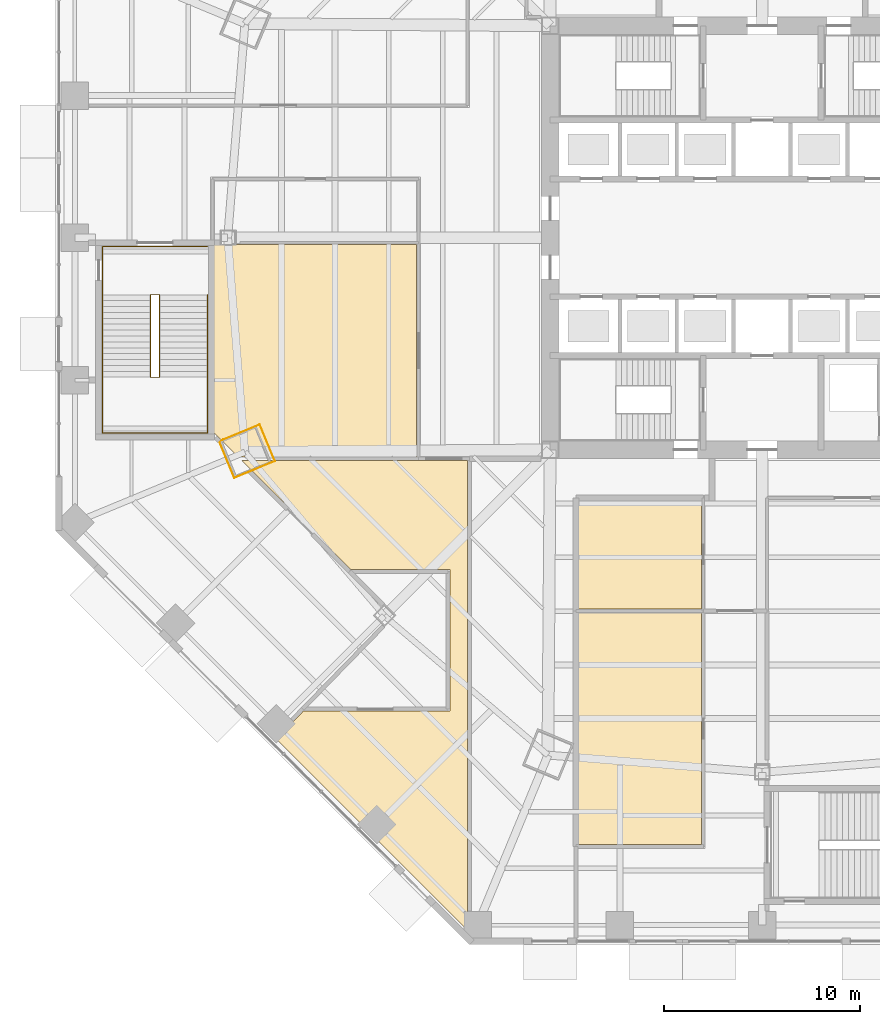
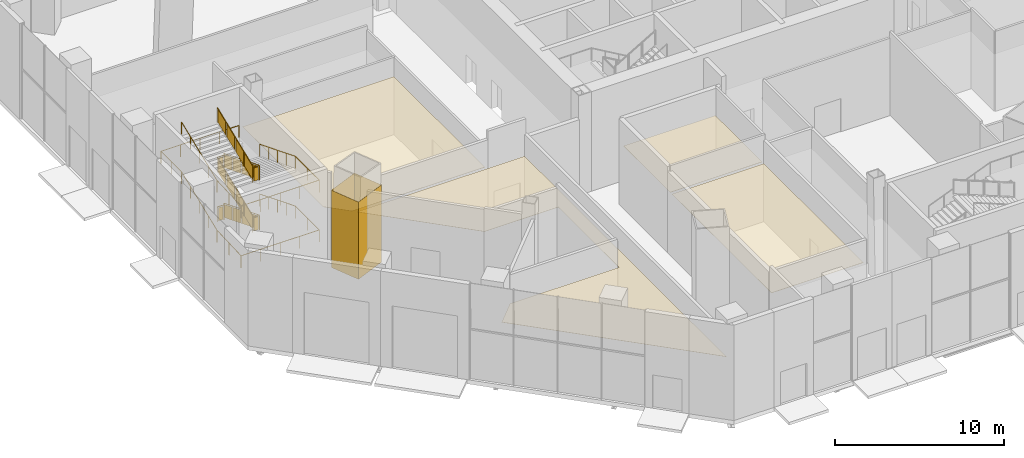
# One storey, part 28 of 35: 5 coverings, 3 railings.
"""IFC4 building model written with IfcOpenShell, lengths in metres."""

from ifc_helpers import new_model, si_unit, direction, frame, origin, origin_2d, place, context, subcontext, project, spatial, polyline, circle, outline, extrude, material, layer, layer_set, type_object, element, save


model = new_model("IFC4")

# Units and contexts
model_context = context("Model", 3, precision=1e-05, world=origin(), true_north=direction((0.0, 1.0)))
body_context = subcontext(model_context, "Body", "Model", "MODEL_VIEW")
ifc_project = project(units=[si_unit("LENGTHUNIT", "METRE"), si_unit("AREAUNIT", "SQUARE_METRE"), si_unit("VOLUMEUNIT", "CUBIC_METRE"), si_unit("PLANEANGLEUNIT", "RADIAN"), si_unit("MASSUNIT", "GRAM", prefix="KILO")], contexts=[model_context])

# Site, building, storey
site_placement = place(None, origin())
site = spatial("IfcSite", under=ifc_project, at=site_placement, CompositionType="ELEMENT")
building_placement = place(site_placement, origin())
building = spatial("IfcBuilding", under=site, at=building_placement, Name="Mashrafa Tower", CompositionType="ELEMENT")
storey_placement = place(building_placement, origin())
storey = spatial("IfcBuildingStorey", under=building, at=storey_placement, Name="L00", CompositionType="ELEMENT", Elevation=0.0)

# Covering
ifc_material_1 = material(Name="Gypsum board")
ifc_layer_1 = layer(ifc_material_1, 0.014892578125)
ifc_layer_set_1 = layer_set([ifc_layer_1], Name="Column casing plasterboard 15")
covering_type_1 = type_object("IfcCoveringType", Name="Column casing plasterboard 15", PredefinedType="CLADDING", material=ifc_layer_set_1)
covering_1_placement = place(storey_placement, origin())
element("IfcCovering", 1, at=covering_1_placement, inside=storey, type_object=covering_type_1, Name="Column casing L00-002", PredefinedType="CLADDING", context=body_context, shape_type="SweptSolid", body=[
    extrude(outline(polyline([(-27.6630859375, -10.35986328125), (-27.445556640625, -10.269775390625), (-25.800537109375, -9.58837890625), (-25.5830078125, -9.498291015625), (-24.80615234375, -11.373779296875), (-25.023681640625, -11.4638671875), (-26.88623046875, -12.2353515625), (-27.6630859375, -10.35986328125)]), holes=[polyline([(-25.029541015625, -11.449951171875), (-24.82568359375, -11.365478515625), (-25.59130859375, -9.517822265625), (-25.794921875, -9.602294921875), (-27.439697265625, -10.28369140625), (-27.6435546875, -10.367919921875), (-26.878173828125, -12.2158203125), (-25.029541015625, -11.449951171875)])]), origin(), (0.0, 0.0, 1.0), 5.590087890625),
])

# Railings
ifc_material_2 = material(Name="Steel guard with glass infill", Category="steel")
railing_type_1 = type_object("IfcRailingType", Name="Stair guard 1100", PredefinedType="GUARDRAIL", material=ifc_material_2)
railing_1_placement = place(storey_placement, frame((-31.14990234375, -2.89990234375, 0.0)))
element("IfcRailing", 2, at=railing_1_placement, inside=storey, type_object=railing_type_1, Name="Stair P3 guard L00", PredefinedType="GUARDRAIL", context=body_context, shape_type="SweptSolid", body=[
    extrude(circle(Radius=0.02392578125, at=origin_2d()), frame((0.0, 0.0, 1.076171875), z_axis=(1.0, 0.0, 0.0), x_axis=(0.0, 1.0, 0.0)), (0.0, 0.0, 1.0), 0.449951171875),
    extrude(circle(Radius=0.02392578125, at=origin_2d()), frame((0.449951171875, 0.0, 1.076171875), z_axis=(0.0, 0.0, 1.0), x_axis=(1.0, 0.0, 0.0)), (0.0, 0.0, 1.0), 0.1201171875),
    extrude(circle(Radius=0.02392578125, at=origin_2d()), frame((0.449951171875, 0.0, 1.1962890625), z_axis=(0.0, -0.928487856528, 0.37136276103), x_axis=(1.0, 0.0, 0.0)), (0.0, 0.0, 1.0), 4.523681640625),
    extrude(circle(Radius=0.02392578125, at=origin_2d()), frame((0.449951171875, -4.2001953125, 2.8759765625), z_axis=(-1.0, 0.0, 0.0), x_axis=(0.0, -1.0, 0.0)), (0.0, 0.0, 1.0), 0.449951171875),
    extrude(circle(Radius=0.02392578125, at=origin_2d()), frame((0.0, -4.2001953125, 2.8759765625), z_axis=(0.0, 0.0, 1.0), x_axis=(1.0, 0.0, 0.0)), (0.0, 0.0, 1.0), 0.119873046875),
    extrude(circle(Radius=0.02392578125, at=origin_2d()), frame((0.0, -4.2001953125, 2.99609375), z_axis=(0.0, 0.928469246806, 0.37140928601), x_axis=(-1.0, 0.0, 0.0)), (0.0, 0.0, 1.0), 4.523681640625),
    extrude(circle(Radius=0.02392578125, at=origin_2d()), frame((0.0, 0.0, 4.67626953125), z_axis=(1.0, 0.0, 0.0), x_axis=(0.0, 1.0, 0.0)), (0.0, 0.0, 1.0), 0.449951171875),
    extrude(circle(Radius=0.02392578125, at=origin_2d()), frame((0.449951171875, 0.0, 4.67626953125), z_axis=(0.0, 0.0, 1.0), x_axis=(1.0, 0.0, 0.0)), (0.0, 0.0, 1.0), 0.119873046875),
    extrude(circle(Radius=0.02392578125, at=origin_2d()), frame((0.449951171875, 0.0, 4.7958984375), z_axis=(0.0, -0.928487856528, 0.37136276103), x_axis=(1.0, 0.0, 0.0)), (0.0, 0.0, 1.0), 4.523681640625),
    extrude(circle(Radius=0.02392578125, at=origin_2d()), frame((0.449951171875, -4.2001953125, 6.47607421875), z_axis=(-1.0, 0.0, 0.0), x_axis=(0.0, -1.0, 0.0)), (0.0, 0.0, 1.0), 0.449951171875),
    extrude(circle(Radius=0.02392578125, at=origin_2d()), frame((0.0, -4.2001953125, 6.47607421875), z_axis=(0.0, 0.0, 1.0), x_axis=(1.0, 0.0, 0.0)), (0.0, 0.0, 1.0), 0.1201171875),
    extrude(circle(Radius=0.02392578125, at=origin_2d()), frame((0.0, -4.2001953125, 6.59619140625), z_axis=(0.0, 0.928487856528, 0.37136276103), x_axis=(-1.0, 0.0, 0.0)), (0.0, 0.0, 1.0), 4.523681640625),
    extrude(circle(Radius=0.02099609375, at=origin_2d()), origin(), (0.0, 0.0, 1.0), 1.052001953125),
    extrude(circle(Radius=0.02099609375, at=origin_2d()), frame((0.449951171875, 0.0, 0.0)), (0.0, 0.0, 1.0), 1.052001953125),
    extrude(circle(Radius=0.02099609375, at=origin_2d()), frame((0.449951171875, 0.0, 0.1201171875)), (0.0, 0.0, 1.0), 1.052001953125),
    extrude(circle(Radius=0.02099609375, at=origin_2d()), frame((0.449951171875, -1.050048828125, 0.5400390625)), (0.0, 0.0, 1.0), 1.052001953125),
    extrude(circle(Radius=0.02099609375, at=origin_2d()), frame((0.449951171875, -2.10009765625, 0.9599609375)), (0.0, 0.0, 1.0), 1.052001953125),
    extrude(circle(Radius=0.02099609375, at=origin_2d()), frame((0.449951171875, -3.150146484375, 1.380126953125)), (0.0, 0.0, 1.0), 1.052001953125),
    extrude(circle(Radius=0.02099609375, at=origin_2d()), frame((0.449951171875, -4.2001953125, 1.800048828125)), (0.0, 0.0, 1.0), 1.052001953125),
    extrude(circle(Radius=0.02099609375, at=origin_2d()), frame((0.0, -4.2001953125, 1.800048828125)), (0.0, 0.0, 1.0), 1.052001953125),
    extrude(circle(Radius=0.02099609375, at=origin_2d()), frame((0.0, -4.2001953125, 1.919921875)), (0.0, 0.0, 1.0), 1.052001953125),
    extrude(circle(Radius=0.02099609375, at=origin_2d()), frame((0.0, -3.150146484375, 2.33984375)), (0.0, 0.0, 1.0), 1.052001953125),
    extrude(circle(Radius=0.02099609375, at=origin_2d()), frame((0.0, -2.10009765625, 2.760009765625)), (0.0, 0.0, 1.0), 1.052001953125),
    extrude(circle(Radius=0.02099609375, at=origin_2d()), frame((0.0, -1.050048828125, 3.18017578125)), (0.0, 0.0, 1.0), 1.052001953125),
    extrude(circle(Radius=0.02099609375, at=origin_2d()), frame((0.0, 0.0, 3.60009765625)), (0.0, 0.0, 1.0), 1.052001953125),
    extrude(circle(Radius=0.02099609375, at=origin_2d()), frame((0.449951171875, 0.0, 3.60009765625)), (0.0, 0.0, 1.0), 1.052001953125),
    extrude(circle(Radius=0.02099609375, at=origin_2d()), frame((0.449951171875, 0.0, 3.719970703125)), (0.0, 0.0, 1.0), 1.052001953125),
    extrude(circle(Radius=0.02099609375, at=origin_2d()), frame((0.449951171875, -1.050048828125, 4.139892578125)), (0.0, 0.0, 1.0), 1.052001953125),
    extrude(circle(Radius=0.02099609375, at=origin_2d()), frame((0.449951171875, -2.10009765625, 4.56005859375)), (0.0, 0.0, 1.0), 1.052001953125),
    extrude(circle(Radius=0.02099609375, at=origin_2d()), frame((0.449951171875, -3.150146484375, 4.97998046875)), (0.0, 0.0, 1.0), 1.052001953125),
    extrude(circle(Radius=0.02099609375, at=origin_2d()), frame((0.449951171875, -4.2001953125, 5.39990234375)), (0.0, 0.0, 1.0), 1.052001953125),
    extrude(circle(Radius=0.02099609375, at=origin_2d()), frame((0.0, -4.2001953125, 5.39990234375)), (0.0, 0.0, 1.0), 1.052001953125),
    extrude(circle(Radius=0.02099609375, at=origin_2d()), frame((0.0, -4.2001953125, 5.52001953125)), (0.0, 0.0, 1.0), 1.052001953125),
    extrude(circle(Radius=0.02099609375, at=origin_2d()), frame((0.0, -3.150146484375, 5.93994140625)), (0.0, 0.0, 1.0), 1.052001953125),
    extrude(circle(Radius=0.02099609375, at=origin_2d()), frame((0.0, -2.10009765625, 6.35986328125)), (0.0, 0.0, 1.0), 1.052001953125),
    extrude(circle(Radius=0.02099609375, at=origin_2d()), frame((0.0, -1.050048828125, 6.780029296875)), (0.0, 0.0, 1.0), 1.052001953125),
    extrude(circle(Radius=0.02099609375, at=origin_2d()), frame((0.0, 0.0, 7.199951171875)), (0.0, 0.0, 1.0), 1.052001953125),
    extrude(outline(polyline([(0.071044921875, 0.050048828125), (0.37890625, 0.050048828125), (0.37890625, 1.001953125), (0.071044921875, 1.001953125), (0.071044921875, 0.050048828125)])), frame((0.0, -0.006103515625, 0.0), z_axis=(0.0, -1.0, 0.0), x_axis=(1.0, 0.0, 0.0)), (0.0, 0.0, 1.0), 0.011962890625),
    extrude(outline(polyline([(0.071044921875, 0.078369140625), (0.97900390625, 0.441650390625), (0.97900390625, 1.3935546875), (0.071044921875, 1.030517578125), (0.071044921875, 0.078369140625)])), frame((0.44384765625, 0.0, 0.1201171875), z_axis=(-1.0, 0.0, 0.0), x_axis=(0.0, -1.0, 0.0)), (0.0, 0.0, 1.0), 0.011962890625),
    extrude(outline(polyline([(1.12109375, 0.498291015625), (2.029052734375, 0.861572265625), (2.029052734375, 1.8134765625), (1.12109375, 1.450439453125), (1.12109375, 0.498291015625)])), frame((0.44384765625, 0.0, 0.1201171875), z_axis=(-1.0, 0.0, 0.0), x_axis=(0.0, -1.0, 0.0)), (0.0, 0.0, 1.0), 0.011962890625),
    extrude(outline(polyline([(2.171142578125, 0.91845703125), (3.0791015625, 1.281494140625), (3.0791015625, 2.233642578125), (2.171142578125, 1.870361328125), (2.171142578125, 0.91845703125)])), frame((0.44384765625, 0.0, 0.1201171875), z_axis=(-1.0, 0.0, 0.0), x_axis=(0.0, -1.0, 0.0)), (0.0, 0.0, 1.0), 0.011962890625),
    extrude(outline(polyline([(3.22119140625, 1.33837890625), (4.129150390625, 1.701416015625), (4.129150390625, 2.653564453125), (3.22119140625, 2.290283203125), (3.22119140625, 1.33837890625)])), frame((0.44384765625, 0.0, 0.1201171875), z_axis=(-1.0, 0.0, 0.0), x_axis=(0.0, -1.0, 0.0)), (0.0, 0.0, 1.0), 0.011962890625),
    extrude(outline(polyline([(0.071044921875, 0.050048828125), (0.37890625, 0.050048828125), (0.37890625, 1.001953125), (0.071044921875, 1.001953125), (0.071044921875, 0.050048828125)])), frame((0.449951171875, -4.194091796875, 1.800048828125), z_axis=(0.0, 1.0, 0.0), x_axis=(-1.0, 0.0, 0.0)), (0.0, 0.0, 1.0), 0.011962890625),
    extrude(outline(polyline([(0.071044921875, 0.078369140625), (0.97900390625, 0.441650390625), (0.97900390625, 1.3935546875), (0.071044921875, 1.030517578125), (0.071044921875, 0.078369140625)])), frame((0.006103515625, -4.2001953125, 1.919921875), z_axis=(1.0, 0.0, 0.0), x_axis=(0.0, 1.0, 0.0)), (0.0, 0.0, 1.0), 0.011962890625),
    extrude(outline(polyline([(1.12109375, 0.49853515625), (2.029052734375, 0.861572265625), (2.029052734375, 1.813720703125), (1.12109375, 1.450439453125), (1.12109375, 0.49853515625)])), frame((0.006103515625, -4.2001953125, 1.919921875), z_axis=(1.0, 0.0, 0.0), x_axis=(0.0, 1.0, 0.0)), (0.0, 0.0, 1.0), 0.011962890625),
    extrude(outline(polyline([(2.171142578125, 0.91845703125), (3.0791015625, 1.28173828125), (3.0791015625, 2.233642578125), (2.171142578125, 1.87060546875), (2.171142578125, 0.91845703125)])), frame((0.006103515625, -4.2001953125, 1.919921875), z_axis=(1.0, 0.0, 0.0), x_axis=(0.0, 1.0, 0.0)), (0.0, 0.0, 1.0), 0.011962890625),
    extrude(outline(polyline([(3.22119140625, 1.338623046875), (4.129150390625, 1.70166015625), (4.129150390625, 2.65380859375), (3.22119140625, 2.29052734375), (3.22119140625, 1.338623046875)])), frame((0.006103515625, -4.2001953125, 1.919921875), z_axis=(1.0, 0.0, 0.0), x_axis=(0.0, 1.0, 0.0)), (0.0, 0.0, 1.0), 0.011962890625),
    extrude(outline(polyline([(0.071044921875, 0.050048828125), (0.37890625, 0.050048828125), (0.37890625, 1.001953125), (0.071044921875, 1.001953125), (0.071044921875, 0.050048828125)])), frame((0.0, -0.006103515625, 3.60009765625), z_axis=(0.0, -1.0, 0.0), x_axis=(1.0, 0.0, 0.0)), (0.0, 0.0, 1.0), 0.011962890625),
    extrude(outline(polyline([(0.071044921875, 0.078369140625), (0.97900390625, 0.441650390625), (0.97900390625, 1.3935546875), (0.071044921875, 1.030517578125), (0.071044921875, 0.078369140625)])), frame((0.44384765625, 0.0, 3.719970703125), z_axis=(-1.0, 0.0, 0.0), x_axis=(0.0, -1.0, 0.0)), (0.0, 0.0, 1.0), 0.011962890625),
    extrude(outline(polyline([(1.12109375, 0.498291015625), (2.029052734375, 0.861572265625), (2.029052734375, 1.8134765625), (1.12109375, 1.450439453125), (1.12109375, 0.498291015625)])), frame((0.44384765625, 0.0, 3.719970703125), z_axis=(-1.0, 0.0, 0.0), x_axis=(0.0, -1.0, 0.0)), (0.0, 0.0, 1.0), 0.011962890625),
    extrude(outline(polyline([(2.171142578125, 0.91845703125), (3.0791015625, 1.281494140625), (3.0791015625, 2.233642578125), (2.171142578125, 1.870361328125), (2.171142578125, 0.91845703125)])), frame((0.44384765625, 0.0, 3.719970703125), z_axis=(-1.0, 0.0, 0.0), x_axis=(0.0, -1.0, 0.0)), (0.0, 0.0, 1.0), 0.011962890625),
    extrude(outline(polyline([(3.22119140625, 1.33837890625), (4.129150390625, 1.701416015625), (4.129150390625, 2.653564453125), (3.22119140625, 2.290283203125), (3.22119140625, 1.33837890625)])), frame((0.44384765625, 0.0, 3.719970703125), z_axis=(-1.0, 0.0, 0.0), x_axis=(0.0, -1.0, 0.0)), (0.0, 0.0, 1.0), 0.011962890625),
    extrude(outline(polyline([(0.071044921875, 0.050048828125), (0.37890625, 0.050048828125), (0.37890625, 1.001953125), (0.071044921875, 1.001953125), (0.071044921875, 0.050048828125)])), frame((0.449951171875, -4.194091796875, 5.39990234375), z_axis=(0.0, 1.0, 0.0), x_axis=(-1.0, 0.0, 0.0)), (0.0, 0.0, 1.0), 0.011962890625),
    extrude(outline(polyline([(0.071044921875, 0.078369140625), (0.97900390625, 0.441650390625), (0.97900390625, 1.3935546875), (0.071044921875, 1.030517578125), (0.071044921875, 0.078369140625)])), frame((0.006103515625, -4.2001953125, 5.52001953125), z_axis=(1.0, 0.0, 0.0), x_axis=(0.0, 1.0, 0.0)), (0.0, 0.0, 1.0), 0.011962890625),
    extrude(outline(polyline([(1.12109375, 0.498291015625), (2.029052734375, 0.861572265625), (2.029052734375, 1.8134765625), (1.12109375, 1.450439453125), (1.12109375, 0.498291015625)])), frame((0.006103515625, -4.2001953125, 5.52001953125), z_axis=(1.0, 0.0, 0.0), x_axis=(0.0, 1.0, 0.0)), (0.0, 0.0, 1.0), 0.011962890625),
    extrude(outline(polyline([(2.171142578125, 0.91845703125), (3.0791015625, 1.281494140625), (3.0791015625, 2.233642578125), (2.171142578125, 1.870361328125), (2.171142578125, 0.91845703125)])), frame((0.006103515625, -4.2001953125, 5.52001953125), z_axis=(1.0, 0.0, 0.0), x_axis=(0.0, 1.0, 0.0)), (0.0, 0.0, 1.0), 0.011962890625),
    extrude(outline(polyline([(3.22119140625, 1.33837890625), (4.129150390625, 1.701416015625), (4.129150390625, 2.653564453125), (3.22119140625, 2.290283203125), (3.22119140625, 1.33837890625)])), frame((0.006103515625, -4.2001953125, 5.52001953125), z_axis=(1.0, 0.0, 0.0), x_axis=(0.0, 1.0, 0.0)), (0.0, 0.0, 1.0), 0.011962890625),
])
ifc_material_3 = material(Name="Steel", Category="steel")
railing_type_2 = type_object("IfcRailingType", Name="Stair handrail 900", PredefinedType="HANDRAIL", material=ifc_material_3)
railing_2_placement = place(storey_placement, frame((-28.25, -2.89990234375, 0.1201171875)))
element("IfcRailing", 3, at=railing_2_placement, inside=storey, type_object=railing_type_2, Name="Stair P3 handrail L00", PredefinedType="HANDRAIL", context=body_context, shape_type="SweptSolid", body=[
    extrude(circle(Radius=0.02392578125, at=origin_2d()), frame((0.0, 0.0, 0.8759765625), z_axis=(0.0, -0.928487856528, 0.37136276103), x_axis=(1.0, 0.0, 0.0)), (0.0, 0.0, 1.0), 4.523681640625),
    extrude(circle(Radius=0.02392578125, at=origin_2d()), frame((0.0, -4.2001953125, 2.5556640625), z_axis=(0.0, -1.0, 0.0), x_axis=(1.0, 0.0, 0.0)), (0.0, 0.0, 1.0), 2.849853515625),
    extrude(circle(Radius=0.02392578125, at=origin_2d()), frame((0.0, -7.050048828125, 2.5556640625), z_axis=(-1.0, 0.0, 0.0), x_axis=(0.0, -1.0, 0.0)), (0.0, 0.0, 1.0), 5.35009765625),
    extrude(circle(Radius=0.02392578125, at=origin_2d()), frame((-5.35009765625, -7.050048828125, 2.5556640625), z_axis=(0.0, 0.999116529218, 0.042025718825), x_axis=(-1.0, 0.0, 0.0)), (0.0, 0.0, 1.0), 2.852294921875),
    extrude(circle(Radius=0.02392578125, at=origin_2d()), frame((-5.35009765625, -4.2001953125, 2.67578125), z_axis=(0.0, 0.928469246806, 0.37140928601), x_axis=(-1.0, 0.0, 0.0)), (0.0, 0.0, 1.0), 4.523681640625),
    extrude(circle(Radius=0.02392578125, at=origin_2d()), frame((-5.35009765625, 0.0, 4.35595703125), z_axis=(0.0, 1.0, 0.0), x_axis=(-1.0, 0.0, 0.0)), (0.0, 0.0, 1.0), 2.449951171875),
    extrude(circle(Radius=0.02392578125, at=origin_2d()), frame((-5.35009765625, 2.449951171875, 4.35595703125), z_axis=(1.0, 0.0, 0.0), x_axis=(0.0, 1.0, 0.0)), (0.0, 0.0, 1.0), 5.35009765625),
    extrude(circle(Radius=0.02099609375, at=origin_2d()), origin(), (0.0, 0.0, 1.0), 0.851806640625),
    extrude(circle(Radius=0.02099609375, at=origin_2d()), frame((0.0, -1.050048828125, 0.419921875)), (0.0, 0.0, 1.0), 0.851806640625),
    extrude(circle(Radius=0.02099609375, at=origin_2d()), frame((0.0, -2.10009765625, 0.83984375)), (0.0, 0.0, 1.0), 0.851806640625),
    extrude(circle(Radius=0.02099609375, at=origin_2d()), frame((0.0, -3.150146484375, 1.260009765625)), (0.0, 0.0, 1.0), 0.851806640625),
    extrude(circle(Radius=0.02099609375, at=origin_2d()), frame((0.0, -4.2001953125, 1.679931640625)), (0.0, 0.0, 1.0), 0.851806640625),
    extrude(circle(Radius=0.02099609375, at=origin_2d()), frame((0.0, -5.625, 1.679931640625)), (0.0, 0.0, 1.0), 0.851806640625),
    extrude(circle(Radius=0.02099609375, at=origin_2d()), frame((0.0, -7.050048828125, 1.679931640625)), (0.0, 0.0, 1.0), 0.851806640625),
    extrude(circle(Radius=0.02099609375, at=origin_2d()), frame((-1.33740234375, -7.050048828125, 1.679931640625)), (0.0, 0.0, 1.0), 0.851806640625),
    extrude(circle(Radius=0.02099609375, at=origin_2d()), frame((-2.675048828125, -7.050048828125, 1.679931640625)), (0.0, 0.0, 1.0), 0.851806640625),
    extrude(circle(Radius=0.02099609375, at=origin_2d()), frame((-4.0126953125, -7.050048828125, 1.679931640625)), (0.0, 0.0, 1.0), 0.851806640625),
    extrude(circle(Radius=0.02099609375, at=origin_2d()), frame((-5.35009765625, -7.050048828125, 1.679931640625)), (0.0, 0.0, 1.0), 0.851806640625),
    extrude(circle(Radius=0.02099609375, at=origin_2d()), frame((-5.35009765625, -5.625, 1.73974609375)), (0.0, 0.0, 1.0), 0.851806640625),
    extrude(circle(Radius=0.02099609375, at=origin_2d()), frame((-5.35009765625, -4.2001953125, 1.7998046875)), (0.0, 0.0, 1.0), 0.851806640625),
    extrude(circle(Radius=0.02099609375, at=origin_2d()), frame((-5.35009765625, -3.150146484375, 2.2197265625)), (0.0, 0.0, 1.0), 0.851806640625),
    extrude(circle(Radius=0.02099609375, at=origin_2d()), frame((-5.35009765625, -2.10009765625, 2.639892578125)), (0.0, 0.0, 1.0), 0.851806640625),
    extrude(circle(Radius=0.02099609375, at=origin_2d()), frame((-5.35009765625, -1.050048828125, 3.06005859375)), (0.0, 0.0, 1.0), 0.851806640625),
    extrude(circle(Radius=0.02099609375, at=origin_2d()), frame((-5.35009765625, 0.0, 3.47998046875)), (0.0, 0.0, 1.0), 0.851806640625),
    extrude(circle(Radius=0.02099609375, at=origin_2d()), frame((-5.35009765625, 1.22509765625, 3.47998046875)), (0.0, 0.0, 1.0), 0.851806640625),
    extrude(circle(Radius=0.02099609375, at=origin_2d()), frame((-5.35009765625, 2.449951171875, 3.47998046875)), (0.0, 0.0, 1.0), 0.851806640625),
    extrude(circle(Radius=0.02099609375, at=origin_2d()), frame((-4.0126953125, 2.449951171875, 3.47998046875)), (0.0, 0.0, 1.0), 0.851806640625),
    extrude(circle(Radius=0.02099609375, at=origin_2d()), frame((-2.675048828125, 2.449951171875, 3.47998046875)), (0.0, 0.0, 1.0), 0.851806640625),
    extrude(circle(Radius=0.02099609375, at=origin_2d()), frame((-1.33740234375, 2.449951171875, 3.47998046875)), (0.0, 0.0, 1.0), 0.851806640625),
    extrude(circle(Radius=0.02099609375, at=origin_2d()), frame((0.0, 2.449951171875, 3.47998046875)), (0.0, 0.0, 1.0), 0.851806640625),
])
railing_3_placement = place(storey_placement, frame((-28.25, -2.89990234375, 3.719970703125)))
element("IfcRailing", 4, at=railing_3_placement, inside=storey, type_object=railing_type_2, Name="Stair P3 upper handrail L00", PredefinedType="HANDRAIL", context=body_context, shape_type="SweptSolid", body=[
    extrude(circle(Radius=0.02392578125, at=origin_2d()), frame((0.0, 0.0, 0.8759765625), z_axis=(0.0, -0.928487856528, 0.37136276103), x_axis=(1.0, 0.0, 0.0)), (0.0, 0.0, 1.0), 4.523681640625),
    extrude(circle(Radius=0.02392578125, at=origin_2d()), frame((0.0, -4.2001953125, 2.5556640625), z_axis=(0.0, -1.0, 0.0), x_axis=(1.0, 0.0, 0.0)), (0.0, 0.0, 1.0), 2.849853515625),
    extrude(circle(Radius=0.02392578125, at=origin_2d()), frame((0.0, -7.050048828125, 2.5556640625), z_axis=(-1.0, 0.0, 0.0), x_axis=(0.0, -1.0, 0.0)), (0.0, 0.0, 1.0), 5.35009765625),
    extrude(circle(Radius=0.02392578125, at=origin_2d()), frame((-5.35009765625, -7.050048828125, 2.5556640625), z_axis=(0.0, 0.999112931687, 0.04211115929), x_axis=(-1.0, 0.0, 0.0)), (0.0, 0.0, 1.0), 2.852294921875),
    extrude(circle(Radius=0.02392578125, at=origin_2d()), frame((-5.35009765625, -4.2001953125, 2.67578125), z_axis=(0.0, 0.928487856528, 0.37136276103), x_axis=(-1.0, 0.0, 0.0)), (0.0, 0.0, 1.0), 4.523681640625),
    extrude(circle(Radius=0.02099609375, at=origin_2d()), origin(), (0.0, 0.0, 1.0), 0.851806640625),
    extrude(circle(Radius=0.02099609375, at=origin_2d()), frame((0.0, -1.050048828125, 0.419921875)), (0.0, 0.0, 1.0), 0.851806640625),
    extrude(circle(Radius=0.02099609375, at=origin_2d()), frame((0.0, -2.10009765625, 0.83984375)), (0.0, 0.0, 1.0), 0.851806640625),
    extrude(circle(Radius=0.02099609375, at=origin_2d()), frame((0.0, -3.150146484375, 1.260009765625)), (0.0, 0.0, 1.0), 0.851806640625),
    extrude(circle(Radius=0.02099609375, at=origin_2d()), frame((0.0, -4.2001953125, 1.679931640625)), (0.0, 0.0, 1.0), 0.851806640625),
    extrude(circle(Radius=0.02099609375, at=origin_2d()), frame((0.0, -5.625, 1.679931640625)), (0.0, 0.0, 1.0), 0.851806640625),
    extrude(circle(Radius=0.02099609375, at=origin_2d()), frame((0.0, -7.050048828125, 1.679931640625)), (0.0, 0.0, 1.0), 0.851806640625),
    extrude(circle(Radius=0.02099609375, at=origin_2d()), frame((-1.33740234375, -7.050048828125, 1.679931640625)), (0.0, 0.0, 1.0), 0.851806640625),
    extrude(circle(Radius=0.02099609375, at=origin_2d()), frame((-2.675048828125, -7.050048828125, 1.679931640625)), (0.0, 0.0, 1.0), 0.851806640625),
    extrude(circle(Radius=0.02099609375, at=origin_2d()), frame((-4.0126953125, -7.050048828125, 1.679931640625)), (0.0, 0.0, 1.0), 0.851806640625),
    extrude(circle(Radius=0.02099609375, at=origin_2d()), frame((-5.35009765625, -7.050048828125, 1.679931640625)), (0.0, 0.0, 1.0), 0.851806640625),
    extrude(circle(Radius=0.02099609375, at=origin_2d()), frame((-5.35009765625, -5.625, 1.739990234375)), (0.0, 0.0, 1.0), 0.851806640625),
    extrude(circle(Radius=0.02099609375, at=origin_2d()), frame((-5.35009765625, -4.2001953125, 1.800048828125)), (0.0, 0.0, 1.0), 0.851806640625),
    extrude(circle(Radius=0.02099609375, at=origin_2d()), frame((-5.35009765625, -3.150146484375, 2.219970703125)), (0.0, 0.0, 1.0), 0.851806640625),
    extrude(circle(Radius=0.02099609375, at=origin_2d()), frame((-5.35009765625, -2.10009765625, 2.64013671875)), (0.0, 0.0, 1.0), 0.851806640625),
    extrude(circle(Radius=0.02099609375, at=origin_2d()), frame((-5.35009765625, -1.050048828125, 3.06005859375)), (0.0, 0.0, 1.0), 0.851806640625),
    extrude(circle(Radius=0.02099609375, at=origin_2d()), frame((-5.35009765625, 0.0, 3.47998046875)), (0.0, 0.0, 1.0), 0.851806640625),
])

# Coverings
ifc_material_4 = material(Name="Mineral fibre tile on suspension grid")
ifc_layer_2 = layer(ifc_material_4, 0.014892578125)
ifc_layer_set_2 = layer_set([ifc_layer_2], Name="Suspended ceiling mineral tile 15")
covering_type_2 = type_object("IfcCoveringType", Name="Suspended ceiling mineral tile 15", PredefinedType="CEILING", material=ifc_layer_set_2)
covering_2_placement = place(storey_placement, frame((0.0, 0.0, 4.199951171875)))
element("IfcCovering", 5, at=covering_2_placement, inside=storey, type_object=covering_type_2, Name="Ceiling Service Entrance Lobby L00", PredefinedType="CEILING", context=body_context, shape_type="SweptSolid", body=[
    extrude(outline(polyline([(-15.0, -35.275390625), (-24.750732421875, -25.5244140625), (-23.36328125, -24.10009765625), (-15.89990234375, -24.10009765625), (-15.89990234375, -16.89990234375), (-20.95849609375, -16.89990234375), (-26.508544921875, -11.35009765625), (-15.0, -11.35009765625), (-15.0, -35.275390625)])), origin(), (0.0, 0.0, 1.0), 0.01513671875),
])
covering_3_placement = place(storey_placement, frame((0.0, 0.0, 4.199951171875)))
element("IfcCovering", 6, at=covering_3_placement, inside=storey, type_object=covering_type_2, Name="Ceiling Business Lounge L00", PredefinedType="CEILING", context=body_context, shape_type="SweptSolid", body=[
    extrude(outline(polyline([(-17.60009765625, -0.35009765625), (-17.60009765625, -11.14990234375), (-26.70849609375, -11.14990234375), (-27.949951171875, -9.90869140625), (-27.949951171875, -0.35009765625), (-17.60009765625, -0.35009765625)])), origin(), (0.0, 0.0, 1.0), 0.01513671875),
])
covering_4_placement = place(storey_placement, frame((0.0, 0.0, 4.199951171875)))
element("IfcCovering", 7, at=covering_4_placement, inside=storey, type_object=covering_type_2, Name="Ceiling Residents' Mail Room L00", PredefinedType="CEILING", context=body_context, shape_type="SweptSolid", body=[
    extrude(outline(polyline([(-9.389892578125, -13.35009765625), (-3.10009765625, -13.35009765625), (-3.10009765625, -18.89990234375), (-9.389892578125, -18.89990234375), (-9.389892578125, -13.35009765625)])), origin(), (0.0, 0.0, 1.0), 0.01513671875),
])
covering_5_placement = place(storey_placement, frame((0.0, 0.0, 4.199951171875)))
element("IfcCovering", 8, at=covering_5_placement, inside=storey, type_object=covering_type_2, Name="Ceiling Residents' Concierge Room L00", PredefinedType="CEILING", context=body_context, shape_type="SweptSolid", body=[
    extrude(outline(polyline([(-9.389892578125, -19.10009765625), (-3.10009765625, -19.10009765625), (-3.10009765625, -30.89990234375), (-9.389892578125, -30.89990234375), (-9.389892578125, -19.10009765625)])), origin(), (0.0, 0.0, 1.0), 0.01513671875),
])

save(model, "model.ifc")
